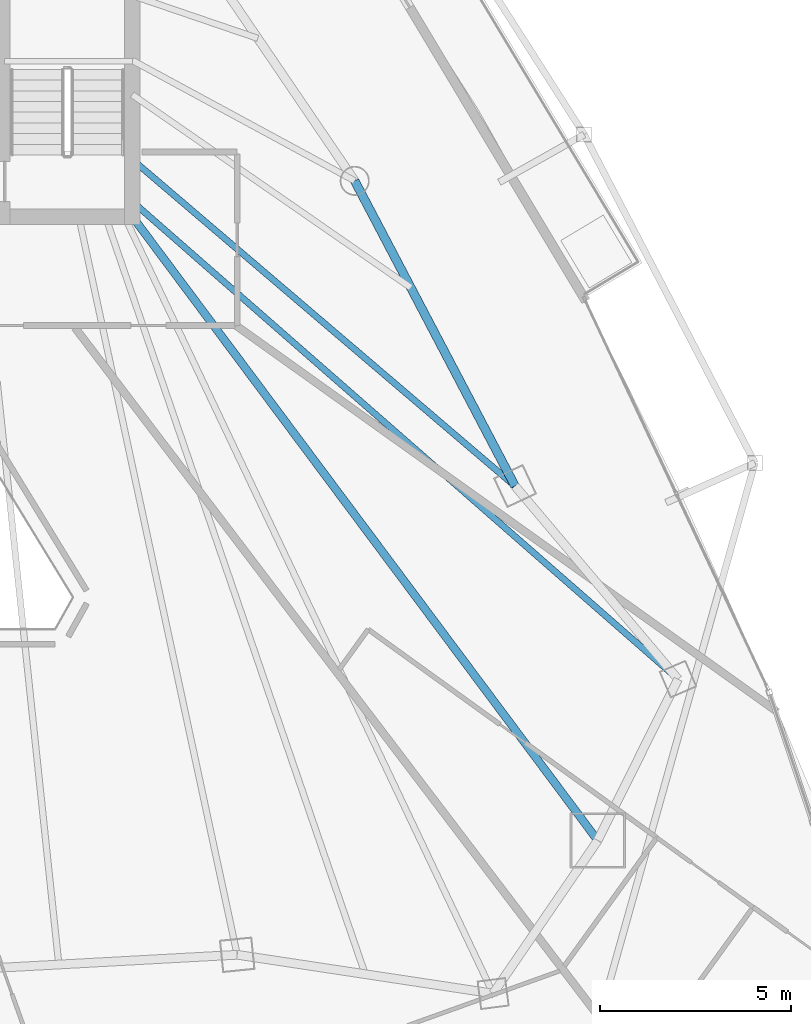
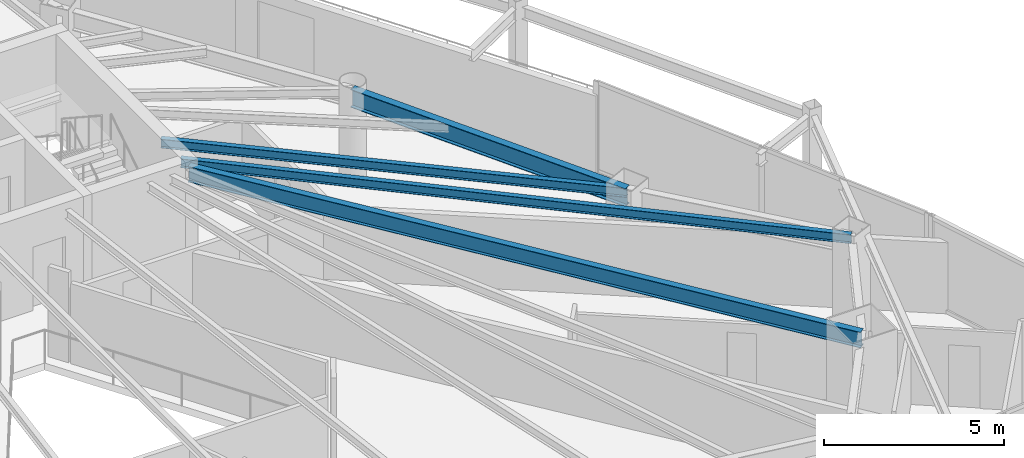
# One storey, part 15 of 30: 4 beams.
"""IFC4 building model written with IfcOpenShell, lengths in metres."""

import ifcopenshell
import ifcopenshell.guid

model = None  # the IFC model being written
_history = None  # IfcOwnerHistory: only IFC2X3 demands one
_inside = {}  # id of a spatial element -> (the spatial element, [elements in it])
_under = {}  # id of a project, library or spatial element -> (it, [spatial elements below it])
_declared = {}  # id of a project -> (the project, [libraries it declares])
_typed = {}  # id of a type object -> (the type object, [elements of that type])
_made_of = {}  # id of a material, layer set ... -> (it, [elements and type objects made of it])


def new_model(schema):
    """Start an empty IFC model of exactly this schema.

    Asked for "IFC4X3", IfcOpenShell would pick the latest addendum, in which some entities
    have other attributes; the version numbers below select the first issue.
    IFC2X3 requires an IfcOwnerHistory on every rooted entity: one is made here for all.
    """
    global model, _history
    if schema == "IFC4X3":
        model = ifcopenshell.file(schema_version=(4, 3, 0, 0))
    else:
        model = ifcopenshell.file(schema=schema)
    _inside.clear()
    _under.clear()
    _declared.clear()
    _typed.clear()
    _made_of.clear()
    _history = None
    if model.schema == "IFC2X3":
        org = make("IfcOrganization", Name="unknown")
        user = make(
            "IfcPersonAndOrganization",
            ThePerson=make("IfcPerson", FamilyName="unknown"),
            TheOrganization=org,
        )
        app = make(
            "IfcApplication",
            ApplicationDeveloper=org,
            Version="unknown",
            ApplicationFullName="unknown",
            ApplicationIdentifier="unknown",
        )
        _history = make(
            "IfcOwnerHistory",
            OwningUser=user,
            OwningApplication=app,
            ChangeAction="ADDED",
            CreationDate=0,
        )
    return model


def make(cls, **values):
    """One entity of the class cls with the attributes given. An attribute that is None is left unset."""
    return model.create_entity(
        cls, **{name: value for name, value in values.items() if value is not None}
    )


def rooted(cls, **values):
    """An entity with a GlobalId (a new one), such as an element, a storey or a relation."""
    return make(cls, GlobalId=ifcopenshell.guid.new(), OwnerHistory=_history, **values)


def si_unit(unit_type, name, prefix=None):
    """IfcSIUnit, for example si_unit("LENGTHUNIT", "METRE", prefix="MILLI")."""
    return make("IfcSIUnit", UnitType=unit_type, Prefix=prefix, Name=name)


def assignment(units):
    """IfcUnitAssignment: the units of a project."""
    return None if units is None else make("IfcUnitAssignment", Units=units)


def point(xyz):
    """IfcCartesianPoint."""
    return None if xyz is None else make("IfcCartesianPoint", Coordinates=xyz)


def direction(xyz):
    """IfcDirection."""
    return None if xyz is None else make("IfcDirection", DirectionRatios=xyz)


def frame(location, z_axis=None, x_axis=None):
    """IfcAxis2Placement3D, a coordinate frame: its origin and axes. An axis left out is left unset."""
    return make(
        "IfcAxis2Placement3D",
        Location=point(location),
        Axis=direction(z_axis),
        RefDirection=direction(x_axis),
    )


def frame_2d(location, x_axis=None):
    """IfcAxis2Placement2D, a coordinate frame in the plane: its origin and x axis."""
    return make(
        "IfcAxis2Placement2D", Location=point(location), RefDirection=direction(x_axis)
    )


def origin():
    """The frame at (0, 0, 0) with its axes left unset."""
    return frame((0.0, 0.0, 0.0))


def origin_2d():
    """The frame at (0, 0) in the plane with its x axis left unset."""
    return frame_2d((0.0, 0.0))


def place(relative_to, where):
    """IfcLocalPlacement: puts the frame where relative to a parent placement (None: the world)."""
    return make(
        "IfcLocalPlacement", PlacementRelTo=relative_to, RelativePlacement=where
    )


def context(
    kind, dimensions, precision=None, world=None, true_north=None, identifier=None
):
    """IfcGeometricRepresentationContext, for example the 3D "Model" context."""
    return make(
        "IfcGeometricRepresentationContext",
        ContextIdentifier=identifier,
        ContextType=kind,
        CoordinateSpaceDimension=dimensions,
        Precision=precision,
        WorldCoordinateSystem=world,
        TrueNorth=true_north,
    )


def subcontext(parent, identifier, kind, view, scale=None):
    """IfcGeometricRepresentationSubContext, for example "Body" below "Model"."""
    return make(
        "IfcGeometricRepresentationSubContext",
        ContextIdentifier=identifier,
        ContextType=kind,
        ParentContext=parent,
        TargetScale=scale,
        TargetView=view,
    )


def project(units=None, contexts=None):
    """IfcProject with its units and contexts."""
    return rooted(
        "IfcProject",
        Name="project",
        RepresentationContexts=contexts,
        UnitsInContext=assignment(units),
    )


def spatial(cls, under=None, at=None, **own):
    """A site, building, storey or space (cls), placed at a placement, below another one or the project."""
    s = rooted(cls, ObjectPlacement=at, **own)
    if under is not None:
        _under.setdefault(under.id(), (under, []))[1].append(s)
    return s


def profile(cls, at=None, kind="AREA", **sizes):
    """A parametric profile (cls). Its sizes go by their IFC names, for example OverallWidth=200.0."""
    return make(cls, ProfileType=kind, Position=at, **sizes)


def i_section(**sizes):
    """IfcIShapeProfileDef."""
    return profile("IfcIShapeProfileDef", **sizes)


def extrude(swept, where, along, depth):
    """IfcExtrudedAreaSolid: the profile swept, set in the frame where, extruded along a direction by depth."""
    return make(
        "IfcExtrudedAreaSolid",
        SweptArea=swept,
        Position=where,
        ExtrudedDirection=direction(along),
        Depth=depth,
    )


def shape(context_of_items, identifier, shape_type, items):
    """IfcShapeRepresentation: the items that make up one representation, for example the "Body"."""
    return make(
        "IfcShapeRepresentation",
        ContextOfItems=context_of_items,
        RepresentationIdentifier=identifier,
        RepresentationType=shape_type,
        Items=items,
    )


def material(Name=None, Category=None):
    """IfcMaterial."""
    return make("IfcMaterial", Name=Name, Category=Category)


def material_profile(
    of_material, cross_section, Name=None, Category=None, Priority=None
):
    """IfcMaterialProfile: a cross section and its material."""
    return make(
        "IfcMaterialProfile",
        Name=Name,
        Material=of_material,
        Profile=cross_section,
        Priority=Priority,
        Category=Category,
    )


def profile_set(profiles, Name=None, composite=None):
    """IfcMaterialProfileSet."""
    return make(
        "IfcMaterialProfileSet",
        Name=Name,
        MaterialProfiles=profiles,
        CompositeProfile=composite,
    )


def made_of(thing, what):
    """Note that an element or type object is made of a material, layer set ...; save() writes the relation."""
    if what is not None:
        _made_of.setdefault(what.id(), (what, []))[1].append(thing)
    return thing


def type_object(cls, material=None, **own):
    """A type object (cls), such as IfcWallType, which elements share."""
    return made_of(rooted(cls, **own), material)


def element(
    cls,
    number,
    at=None,
    inside=None,
    cuts=None,
    type_object=None,
    material=None,
    context=None,
    identifier="Body",
    shape_type=None,
    held_by="IfcProductDefinitionShape",
    body=None,
    shapes=None,
    **own,
):
    """One element of the class cls, such as IfcWall. Its Tag is "e" and its number.

    at: its placement. inside: the storey or other place that contains it. cuts: it is an
    opening in that element (IfcRelVoidsElement). A single representation is given by context,
    identifier, shape_type and body (its items); several are given by shapes. held_by: the class
    of the entity that holds the representations. save() writes the other relations.
    """
    e = rooted(cls, Tag="e%d" % number, ObjectPlacement=at, **own)
    if body is not None:
        shapes = [shape(context, identifier, shape_type, body)]
    if shapes is not None:
        e.Representation = make(held_by, Representations=shapes)
    if inside is not None:
        _inside.setdefault(inside.id(), (inside, []))[1].append(e)
    if cuts is not None:
        rooted(
            "IfcRelVoidsElement", RelatingBuildingElement=cuts, RelatedOpeningElement=e
        )
    if type_object is not None:
        _typed.setdefault(type_object.id(), (type_object, []))[1].append(e)
    return made_of(e, material)


def aggregate(whole, parts):
    """IfcRelAggregates: a whole, such as a stair, and the parts it consists of."""
    return rooted("IfcRelAggregates", RelatingObject=whole, RelatedObjects=parts)


def save(model, path):
    """Write the relations noted so far, then the file.

    IfcRelAggregates (storeys below a building ...), IfcRelContainedInSpatialStructure (elements
    in a storey), IfcRelDefinesByType, IfcRelAssociatesMaterial and IfcRelDeclares: one each for
    every whole, place, type object, material and project.
    """
    for whole, parts in _under.values():
        aggregate(whole, parts)
    for where, things in _inside.values():
        rooted(
            "IfcRelContainedInSpatialStructure",
            RelatedElements=things,
            RelatingStructure=where,
        )
    for kind, things in _typed.values():
        rooted("IfcRelDefinesByType", RelatedObjects=things, RelatingType=kind)
    for what, things in _made_of.values():
        rooted("IfcRelAssociatesMaterial", RelatedObjects=things, RelatingMaterial=what)
    for by, libraries in _declared.values():
        rooted("IfcRelDeclares", RelatingContext=by, RelatedDefinitions=libraries)
    model.write(path)


model = new_model("IFC4")

# Units and contexts
model_context = context("Model", 3, precision=1e-05, world=origin(), true_north=direction((0.0, 1.0)))
body_context = subcontext(model_context, "Body", "Model", "MODEL_VIEW")
ifc_project = project(units=[si_unit("LENGTHUNIT", "METRE"), si_unit("AREAUNIT", "SQUARE_METRE"), si_unit("VOLUMEUNIT", "CUBIC_METRE"), si_unit("PLANEANGLEUNIT", "RADIAN"), si_unit("MASSUNIT", "GRAM", prefix="KILO")], contexts=[model_context])

# Site, building, storey
site_placement = place(None, origin())
site = spatial("IfcSite", under=ifc_project, at=site_placement, CompositionType="ELEMENT")
building_placement = place(site_placement, origin())
building = spatial("IfcBuilding", under=site, at=building_placement, Name="Orvanel Arch Residences", CompositionType="ELEMENT")
storey_placement = place(building_placement, frame((0.0, 0.0, 136.39990234375)))
storey = spatial("IfcBuildingStorey", under=building, at=storey_placement, Name="L38", CompositionType="ELEMENT", Elevation=136.39990234375)

# Beams
ifc_material = material(Name="Structural steel AS/NZS 3679.1 Grade 300 (300 MPa)", Category="steel")
ifc_material_profile_1 = material_profile(ifc_material, i_section(OverallWidth=0.208984375, OverallDepth=0.532958984375, WebThickness=0.01025390625, FlangeThickness=0.015625, at=origin_2d()), Name="530UB92.4")
ifc_profile_set_1 = profile_set([ifc_material_profile_1], Name="Structural steel AS/NZS 3679.1 Grade 300 (300 MPa)")
beam_type_1 = type_object("IfcBeamType", Name="BG-530UB", PredefinedType="BEAM", material=ifc_profile_set_1)
beam_1_placement = place(storey_placement, frame((39.625, 26.675048828125, 2.794189453125), z_axis=(0.597893733742, -0.801575375839, 0.0), x_axis=(0.801575375839, 0.597893733742, 0.0)))
element("IfcBeam", 1, at=beam_1_placement, inside=storey, type_object=beam_type_1, Name="L38 South-East Radial Girder", PredefinedType="BEAM", context=body_context, shape_type="SweptSolid", body=[
    extrude(i_section(OverallWidth=0.208984375, OverallDepth=0.532958984375, WebThickness=0.01025390625, FlangeThickness=0.015625, at=origin_2d()), origin(), (0.0, 0.0, 1.0), 20.36474609375),
])
ifc_material_profile_2 = material_profile(ifc_material, i_section(OverallWidth=0.1650390625, OverallDepth=0.303955078125, WebThickness=0.006103515625, FlangeThickness=0.01025390625, at=origin_2d()), Name="310UB40.4")
ifc_profile_set_2 = profile_set([ifc_material_profile_2], Name="Structural steel AS/NZS 3679.1 Grade 300 (300 MPa)")
beam_type_2 = type_object("IfcBeamType", Name="BJ-310UB", PredefinedType="JOIST", material=ifc_profile_set_2)
beam_2_placement = place(storey_placement, frame((39.60009765625, 28.199951171875, 2.908203125), z_axis=(0.760821315761, -0.648961420644, 0.0), x_axis=(0.648961420644, 0.760821315761, 0.0)))
element("IfcBeam", 2, at=beam_2_placement, inside=storey, type_object=beam_type_2, Name="L38 E Wing Floor Joist", PredefinedType="JOIST", context=body_context, shape_type="SweptSolid", body=[
    extrude(i_section(OverallWidth=0.1650390625, OverallDepth=0.303955078125, WebThickness=0.006103515625, FlangeThickness=0.01025390625, at=origin_2d()), origin(), (0.0, 0.0, 1.0), 13.18701171875),
])
beam_3_placement = place(storey_placement, frame((39.60009765625, 27.10009765625, 2.908203125), z_axis=(0.752493154183, -0.658600070534, 0.0), x_axis=(0.658600070534, 0.752493154183, 0.0)))
element("IfcBeam", 3, at=beam_3_placement, inside=storey, type_object=beam_type_2, Name="L38 ME Wing Floor Joist", PredefinedType="JOIST", context=body_context, shape_type="SweptSolid", body=[
    extrude(i_section(OverallWidth=0.1650390625, OverallDepth=0.303955078125, WebThickness=0.006103515625, FlangeThickness=0.01025390625, at=origin_2d()), origin(), (0.0, 0.0, 1.0), 19.010009765625),
])
ifc_material_profile_3 = material_profile(ifc_material, i_section(OverallWidth=0.22900390625, OverallDepth=0.612060546875, WebThickness=0.011962890625, FlangeThickness=0.01953125, at=origin_2d()), Name="610UB125")
ifc_profile_set_3 = profile_set([ifc_material_profile_3], Name="Structural steel AS/NZS 3679.1 Grade 300 (300 MPa)")
beam_type_3 = type_object("IfcBeamType", Name="SP-610UB", PredefinedType="SPANDREL", material=ifc_profile_set_3)
beam_4_placement = place(storey_placement, frame((49.633056640625, 19.64208984375, 2.754150390625), z_axis=(-0.465064762793, 0.885276660942, 0.0), x_axis=(-0.885276660942, -0.465064762793, 0.0)))
element("IfcBeam", 4, at=beam_4_placement, inside=storey, type_object=beam_type_3, Name="L38 Perimeter Spandrel Beam 11", PredefinedType="SPANDREL", context=body_context, shape_type="SweptSolid", body=[
    extrude(i_section(OverallWidth=0.22900390625, OverallDepth=0.612060546875, WebThickness=0.011962890625, FlangeThickness=0.01953125, at=origin_2d()), origin(), (0.0, 0.0, 1.0), 9.03564453125),
])

save(model, "model.ifc")
